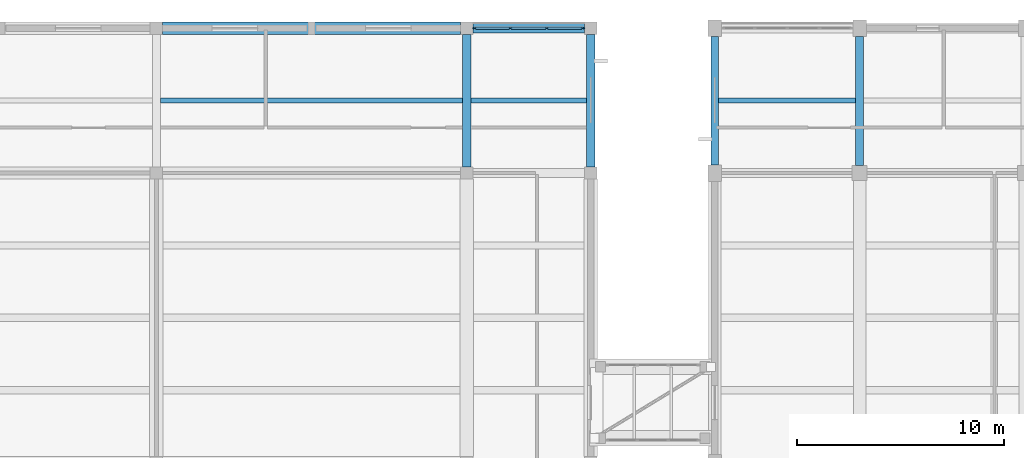
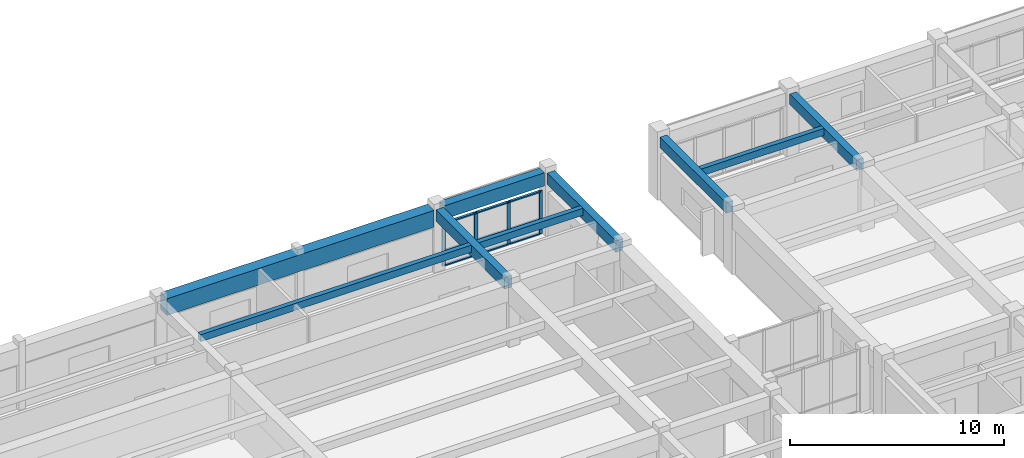
# One storey, part 29 of 66: 13 members, 9 beams, 1 element without a shape of its own.
"""IFC4 building model written with IfcOpenShell, lengths in metres."""

from ifc_helpers import new_model, si_unit, direction, frame, origin, origin_2d, place, context, subcontext, project, spatial, rectangle, extrude, material, layer, layer_set, material_profile, profile_set, type_object, element, aggregate, save


model = new_model("IFC4")

# Units and contexts
model_context = context("Model", 3, precision=1e-05, world=origin(), true_north=direction((0.0, 1.0)))
body_context = subcontext(model_context, "Body", "Model", "MODEL_VIEW")
ifc_project = project(units=[si_unit("LENGTHUNIT", "METRE"), si_unit("AREAUNIT", "SQUARE_METRE"), si_unit("VOLUMEUNIT", "CUBIC_METRE"), si_unit("PLANEANGLEUNIT", "RADIAN"), si_unit("MASSUNIT", "GRAM", prefix="KILO")], contexts=[model_context])

# Site, building, storey
site_placement = place(None, origin())
site = spatial("IfcSite", under=ifc_project, at=site_placement, CompositionType="ELEMENT")
building_placement = place(site_placement, origin())
building = spatial("IfcBuilding", under=site, at=building_placement, Name="Naurynzar Civic Courthouse", CompositionType="ELEMENT")
storey_placement = place(building_placement, frame((0.0, 0.0, 14.39990234375)))
storey = spatial("IfcBuildingStorey", under=building, at=storey_placement, Name="L04", CompositionType="ELEMENT", Elevation=14.39990234375)

# Beams
ifc_material_1 = material(Name="Concrete C40/50", Category="concrete")
ifc_material_profile_1 = material_profile(ifc_material_1, rectangle(XDim=0.449951171875, YDim=0.75, at=origin_2d()), Name="RCF 450x750")
ifc_profile_set_1 = profile_set([ifc_material_profile_1], Name="Concrete C40/50")
beam_type_1 = type_object("IfcBeamType", Name="BM-FLD-450x750", PredefinedType="BEAM", material=ifc_profile_set_1)
beam_1_placement = place(storey_placement, frame((50.300048828125, 72.0, 3.205078125), z_axis=(1.0, 0.0, 0.0), x_axis=(0.0, 1.0, 0.0)))
element("IfcBeam", 1, at=beam_1_placement, inside=storey, type_object=beam_type_1, Name="V1 beam X-241 L04", PredefinedType="BEAM", context=body_context, shape_type="SweptSolid", body=[
    extrude(rectangle(XDim=0.449951171875, YDim=0.75, at=origin_2d()), origin(), (0.0, 0.0, 1.0), 5.39990234375),
])
ifc_material_2 = material(Name="Concrete C40/50", Category="concrete")
ifc_material_profile_2 = material_profile(ifc_material_2, rectangle(XDim=0.25, YDim=0.39990234375, at=origin_2d()), Name="RCB 250x400")
ifc_profile_set_2 = profile_set([ifc_material_profile_2], Name="Concrete C40/50")
beam_type_2 = type_object("IfcBeamType", Name="BM-JST-250x400", PredefinedType="JOIST", material=ifc_profile_set_2)
beam_2_placement = place(storey_placement, frame((35.199951171875, 68.5, 3.380126953125), z_axis=(1.0, 0.0, 0.0), x_axis=(0.0, 1.0, 0.0)))
element("IfcBeam", 2, at=beam_2_placement, inside=storey, type_object=beam_type_2, Name="V1 secondary rib 277 L04", PredefinedType="JOIST", context=body_context, shape_type="SweptSolid", body=[
    extrude(rectangle(XDim=0.25, YDim=0.39990234375, at=origin_2d()), origin(), (0.0, 0.0, 1.0), 14.60009765625),
])
beam_3_placement = place(storey_placement, frame((50.199951171875, 68.5, 3.380126953125), z_axis=(1.0, 0.0, 0.0), x_axis=(0.0, 1.0, 0.0)))
element("IfcBeam", 3, at=beam_3_placement, inside=storey, type_object=beam_type_2, Name="V1 secondary rib 278 L04", PredefinedType="JOIST", context=body_context, shape_type="SweptSolid", body=[
    extrude(rectangle(XDim=0.25, YDim=0.39990234375, at=origin_2d()), origin(), (0.0, 0.0, 1.0), 5.60009765625),
])
beam_4_placement = place(storey_placement, frame((62.1875, 68.5, 3.380126953125), z_axis=(1.0, 0.0, 0.0), x_axis=(0.0, 1.0, 0.0)))
element("IfcBeam", 4, at=beam_4_placement, inside=storey, type_object=beam_type_2, Name="V2 secondary rib 735 L04", PredefinedType="JOIST", context=body_context, shape_type="SweptSolid", body=[
    extrude(rectangle(XDim=0.25, YDim=0.39990234375, at=origin_2d()), origin(), (0.0, 0.0, 1.0), 6.625),
])
ifc_material_3 = material(Name="Concrete C40/50", Category="concrete")
ifc_material_profile_3 = material_profile(ifc_material_3, rectangle(XDim=0.60009765625, YDim=0.949951171875, at=origin_2d()), Name="PTB 600x950")
ifc_profile_set_3 = profile_set([ifc_material_profile_3], Name="Concrete C40/50")
beam_type_3 = type_object("IfcBeamType", Name="BM-PT-600x950", PredefinedType="T_BEAM", material=ifc_profile_set_3)
beam_5_placement = place(storey_placement, frame((35.300048828125, 72.0, 3.10498046875), z_axis=(1.0, 0.0, 0.0), x_axis=(0.0, 1.0, 0.0)))
element("IfcBeam", 5, at=beam_5_placement, inside=storey, type_object=beam_type_3, Name="V1 beam X-240 L04", PredefinedType="T_BEAM", context=body_context, shape_type="SweptSolid", body=[
    extrude(rectangle(XDim=0.60009765625, YDim=0.949951171875, at=origin_2d()), origin(), (0.0, 0.0, 1.0), 14.39990234375),
])
ifc_material_4 = material(Name="Concrete C40/50", Category="concrete")
ifc_material_profile_4 = material_profile(ifc_material_4, rectangle(XDim=0.375, YDim=0.60009765625, at=origin_2d()), Name="RCB 375x600")
ifc_profile_set_4 = profile_set([ifc_material_profile_4], Name="Concrete C40/50")
beam_type_4 = type_object("IfcBeamType", Name="BM-RC-375x600", PredefinedType="BEAM", material=ifc_profile_set_4)
beam_6_placement = place(storey_placement, frame((62.0, 65.39990234375, 3.280029296875), z_axis=(0.0, 1.0, 0.0), x_axis=(-1.0, 0.0, 0.0)))
element("IfcBeam", 6, at=beam_6_placement, inside=storey, type_object=beam_type_4, Name="V2 girder Y-689 L04", PredefinedType="BEAM", context=body_context, shape_type="SweptSolid", body=[
    extrude(rectangle(XDim=0.375, YDim=0.60009765625, at=origin_2d()), origin(), (0.0, 0.0, 1.0), 6.2001953125),
])
beam_7_placement = place(storey_placement, frame((69.0, 65.362548828125, 3.280029296875), z_axis=(0.0, 1.0, 0.0), x_axis=(-1.0, 0.0, 0.0)))
element("IfcBeam", 7, at=beam_7_placement, inside=storey, type_object=beam_type_4, Name="V2 girder Y-692 L04", PredefinedType="BEAM", context=body_context, shape_type="SweptSolid", body=[
    extrude(rectangle(XDim=0.375, YDim=0.60009765625, at=origin_2d()), origin(), (0.0, 0.0, 1.0), 6.237548828125),
])
ifc_material_5 = material(Name="Concrete C40/50", Category="concrete")
ifc_material_profile_5 = material_profile(ifc_material_5, rectangle(XDim=0.39990234375, YDim=0.64990234375, at=origin_2d()), Name="RCB 400x650")
ifc_profile_set_5 = profile_set([ifc_material_profile_5], Name="Concrete C40/50")
beam_type_5 = type_object("IfcBeamType", Name="BM-RC-400x650", PredefinedType="BEAM", material=ifc_profile_set_5)
for number, where, z_axis, x_axis, name in (
    (8, (50.0, 65.300048828125, 3.255126953125), (0.0, 1.0, 0.0), (-1.0, 0.0, 0.0), "V1 girder Y-256 L04"),
    (9, (56.0, 65.300048828125, 3.255126953125), (0.0, 1.0, 0.0), (-1.0, 0.0, 0.0), "V1 girder Y-259 L04"),
):
    element("IfcBeam", number, at=place(storey_placement, frame(where, z_axis=z_axis, x_axis=x_axis)), inside=storey, type_object=beam_type_5, Name=name, PredefinedType="BEAM", context=body_context, shape_type="SweptSolid", body=[
        extrude(rectangle(XDim=0.39990234375, YDim=0.64990234375, at=origin_2d()), origin(), (0.0, 0.0, 1.0), 6.39990234375),
    ])

# Curtain wall, members
ifc_material_6 = material(Name="Aluminium 6063-T6", Category="aluminium")
ifc_layer = layer(ifc_material_6, 0.159912109375)
ifc_layer_set = layer_set([ifc_layer], Name="CW-UNIT-1800")
curtain_wall_type = type_object("IfcCurtainWallType", Name="CW-UNIT-1800", PredefinedType="NOTDEFINED", material=ifc_layer_set)
curtain_wall_placement = place(storey_placement, origin())
curtain_wall = element("IfcCurtainWall", 10, at=curtain_wall_placement, inside=storey, type_object=curtain_wall_type, Name="V1 unitised curtain wall 16 L04", PredefinedType="NOTDEFINED")
ifc_material_7 = material(Name="Aluminium 6063-T6", Category="aluminium")
ifc_material_profile_6 = material_profile(ifc_material_7, rectangle(XDim=0.070068359375, YDim=0.179931640625, at=origin_2d()), Name="ALU MULLION 70x180")
ifc_profile_set_6 = profile_set([ifc_material_profile_6], Name="Aluminium 6063-T6")
member_type_1 = type_object("IfcMemberType", Name="CWM-70x180", PredefinedType="MULLION", material=ifc_profile_set_6)
member_1_placement = place(storey_placement, frame((50.385009765625, 72.0, 0.0), z_axis=(0.0, 0.0, 1.0), x_axis=(0.0, 1.0, 0.0)))
member_1 = element("IfcMember", 11, at=member_1_placement, type_object=member_type_1, Name="CW-02 mullion 1", PredefinedType="MULLION", context=body_context, shape_type="SweptSolid", body=[
    extrude(rectangle(XDim=0.070068359375, YDim=0.179931640625, at=origin_2d()), origin(), (0.0, 0.0, 1.0), 2.460205078125),
])
member_2_placement = place(storey_placement, frame((52.11669921875, 72.0, 0.0), z_axis=(0.0, 0.0, 1.0), x_axis=(0.0, 1.0, 0.0)))
member_2 = element("IfcMember", 12, at=member_2_placement, type_object=member_type_1, Name="CW-02 mullion 2", PredefinedType="MULLION", context=body_context, shape_type="SweptSolid", body=[
    extrude(rectangle(XDim=0.070068359375, YDim=0.179931640625, at=origin_2d()), origin(), (0.0, 0.0, 1.0), 2.460205078125),
])
member_3_placement = place(storey_placement, frame((53.88330078125, 72.0, 0.0), z_axis=(0.0, 0.0, 1.0), x_axis=(0.0, 1.0, 0.0)))
member_3 = element("IfcMember", 13, at=member_3_placement, type_object=member_type_1, Name="CW-02 mullion 3", PredefinedType="MULLION", context=body_context, shape_type="SweptSolid", body=[
    extrude(rectangle(XDim=0.070068359375, YDim=0.179931640625, at=origin_2d()), origin(), (0.0, 0.0, 1.0), 2.460205078125),
])
member_4_placement = place(storey_placement, frame((55.614990234375, 72.0, 0.0), z_axis=(0.0, 0.0, 1.0), x_axis=(0.0, 1.0, 0.0)))
member_4 = element("IfcMember", 14, at=member_4_placement, type_object=member_type_1, Name="CW-02 mullion 4", PredefinedType="MULLION", context=body_context, shape_type="SweptSolid", body=[
    extrude(rectangle(XDim=0.070068359375, YDim=0.179931640625, at=origin_2d()), origin(), (0.0, 0.0, 1.0), 2.460205078125),
])
ifc_material_8 = material(Name="Aluminium 6063-T6", Category="aluminium")
ifc_material_profile_7 = material_profile(ifc_material_8, rectangle(XDim=0.1298828125, YDim=0.070068359375, at=origin_2d()), Name="ALU TRANSOM 70x130")
ifc_profile_set_7 = profile_set([ifc_material_profile_7], Name="Aluminium 6063-T6")
member_type_2 = type_object("IfcMemberType", Name="CWT-70x130", PredefinedType="USERDEFINED", material=ifc_profile_set_7)
member_5_placement = place(storey_placement, frame((50.419921875, 72.0, 0.03515625), z_axis=(1.0, 0.0, 0.0), x_axis=(0.0, 1.0, 0.0)))
member_5 = element("IfcMember", 15, at=member_5_placement, type_object=member_type_2, Name="CW-02 transom 1.1", ObjectType="TRANSOM", PredefinedType="USERDEFINED", context=body_context, shape_type="SweptSolid", body=[
    extrude(rectangle(XDim=0.1298828125, YDim=0.070068359375, at=origin_2d()), origin(), (0.0, 0.0, 1.0), 1.661865234375),
])
member_6_placement = place(storey_placement, frame((50.419921875, 72.0, 0.85009765625), z_axis=(1.0, 0.0, 0.0), x_axis=(0.0, 1.0, 0.0)))
member_6 = element("IfcMember", 16, at=member_6_placement, type_object=member_type_2, Name="CW-02 transom 1.2", ObjectType="TRANSOM", PredefinedType="USERDEFINED", context=body_context, shape_type="SweptSolid", body=[
    extrude(rectangle(XDim=0.1298828125, YDim=0.070068359375, at=origin_2d()), origin(), (0.0, 0.0, 1.0), 1.661865234375),
])
member_7_placement = place(storey_placement, frame((50.419921875, 72.0, 2.425048828125), z_axis=(1.0, 0.0, 0.0), x_axis=(0.0, 1.0, 0.0)))
member_7 = element("IfcMember", 17, at=member_7_placement, type_object=member_type_2, Name="CW-02 transom 1.3", ObjectType="TRANSOM", PredefinedType="USERDEFINED", context=body_context, shape_type="SweptSolid", body=[
    extrude(rectangle(XDim=0.1298828125, YDim=0.070068359375, at=origin_2d()), origin(), (0.0, 0.0, 1.0), 1.661865234375),
])
member_8_placement = place(storey_placement, frame((52.151611328125, 72.0, 0.03515625), z_axis=(1.0, 0.0, 0.0), x_axis=(0.0, 1.0, 0.0)))
member_8 = element("IfcMember", 18, at=member_8_placement, type_object=member_type_2, Name="CW-02 transom 2.1", ObjectType="TRANSOM", PredefinedType="USERDEFINED", context=body_context, shape_type="SweptSolid", body=[
    extrude(rectangle(XDim=0.1298828125, YDim=0.070068359375, at=origin_2d()), origin(), (0.0, 0.0, 1.0), 1.69677734375),
])
member_9_placement = place(storey_placement, frame((52.151611328125, 72.0, 0.85009765625), z_axis=(1.0, 0.0, 0.0), x_axis=(0.0, 1.0, 0.0)))
member_9 = element("IfcMember", 19, at=member_9_placement, type_object=member_type_2, Name="CW-02 transom 2.2", ObjectType="TRANSOM", PredefinedType="USERDEFINED", context=body_context, shape_type="SweptSolid", body=[
    extrude(rectangle(XDim=0.1298828125, YDim=0.070068359375, at=origin_2d()), origin(), (0.0, 0.0, 1.0), 1.69677734375),
])
member_10_placement = place(storey_placement, frame((52.151611328125, 72.0, 2.425048828125), z_axis=(1.0, 0.0, 0.0), x_axis=(0.0, 1.0, 0.0)))
member_10 = element("IfcMember", 20, at=member_10_placement, type_object=member_type_2, Name="CW-02 transom 2.3", ObjectType="TRANSOM", PredefinedType="USERDEFINED", context=body_context, shape_type="SweptSolid", body=[
    extrude(rectangle(XDim=0.1298828125, YDim=0.070068359375, at=origin_2d()), origin(), (0.0, 0.0, 1.0), 1.69677734375),
])
member_11_placement = place(storey_placement, frame((53.918212890625, 72.0, 0.03515625), z_axis=(1.0, 0.0, 0.0), x_axis=(0.0, 1.0, 0.0)))
member_11 = element("IfcMember", 21, at=member_11_placement, type_object=member_type_2, Name="CW-02 transom 3.1", ObjectType="TRANSOM", PredefinedType="USERDEFINED", context=body_context, shape_type="SweptSolid", body=[
    extrude(rectangle(XDim=0.1298828125, YDim=0.070068359375, at=origin_2d()), origin(), (0.0, 0.0, 1.0), 1.661865234375),
])
member_12_placement = place(storey_placement, frame((53.918212890625, 72.0, 0.85009765625), z_axis=(1.0, 0.0, 0.0), x_axis=(0.0, 1.0, 0.0)))
member_12 = element("IfcMember", 22, at=member_12_placement, type_object=member_type_2, Name="CW-02 transom 3.2", ObjectType="TRANSOM", PredefinedType="USERDEFINED", context=body_context, shape_type="SweptSolid", body=[
    extrude(rectangle(XDim=0.1298828125, YDim=0.070068359375, at=origin_2d()), origin(), (0.0, 0.0, 1.0), 1.661865234375),
])
member_13_placement = place(storey_placement, frame((53.918212890625, 72.0, 2.425048828125), z_axis=(1.0, 0.0, 0.0), x_axis=(0.0, 1.0, 0.0)))
member_13 = element("IfcMember", 23, at=member_13_placement, type_object=member_type_2, Name="CW-02 transom 3.3", ObjectType="TRANSOM", PredefinedType="USERDEFINED", context=body_context, shape_type="SweptSolid", body=[
    extrude(rectangle(XDim=0.1298828125, YDim=0.070068359375, at=origin_2d()), origin(), (0.0, 0.0, 1.0), 1.661865234375),
])
aggregate(curtain_wall, [member_1, member_2, member_3, member_4, member_5, member_6, member_7, member_8, member_9, member_10, member_11, member_12, member_13])

save(model, "model.ifc")
